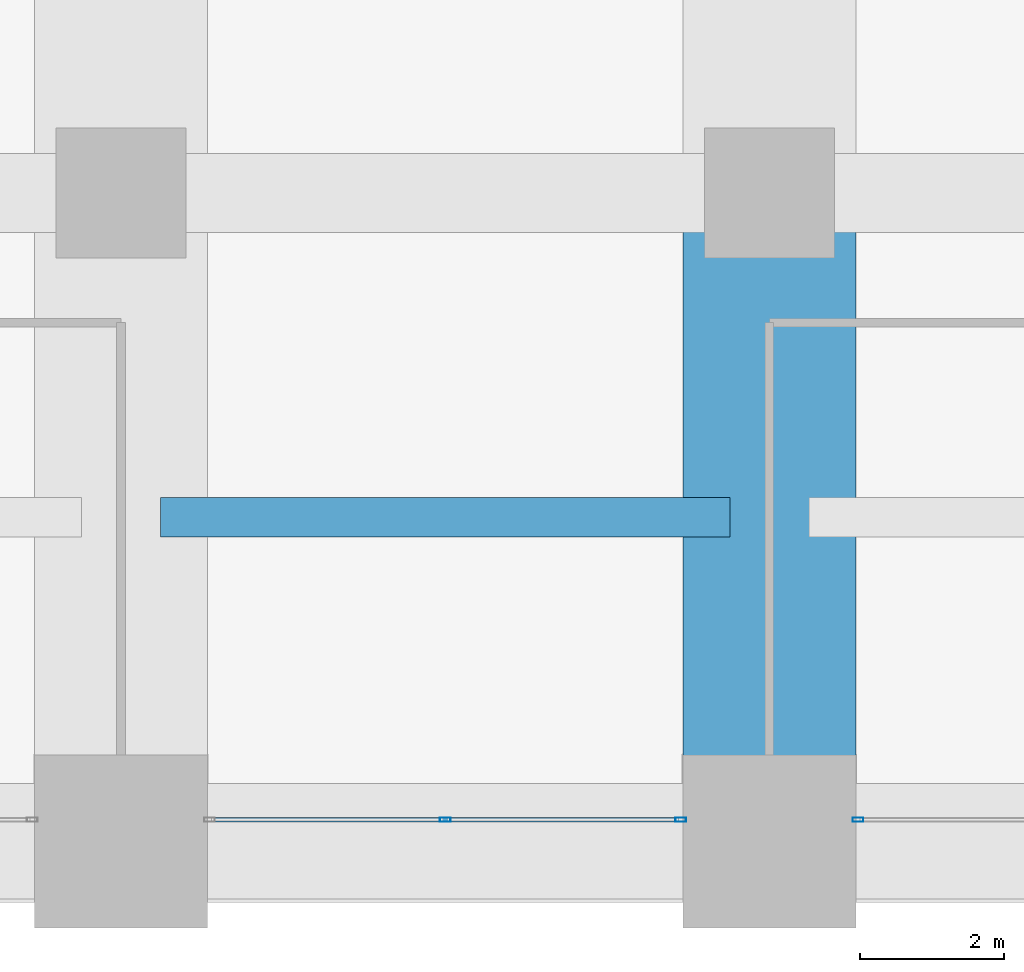
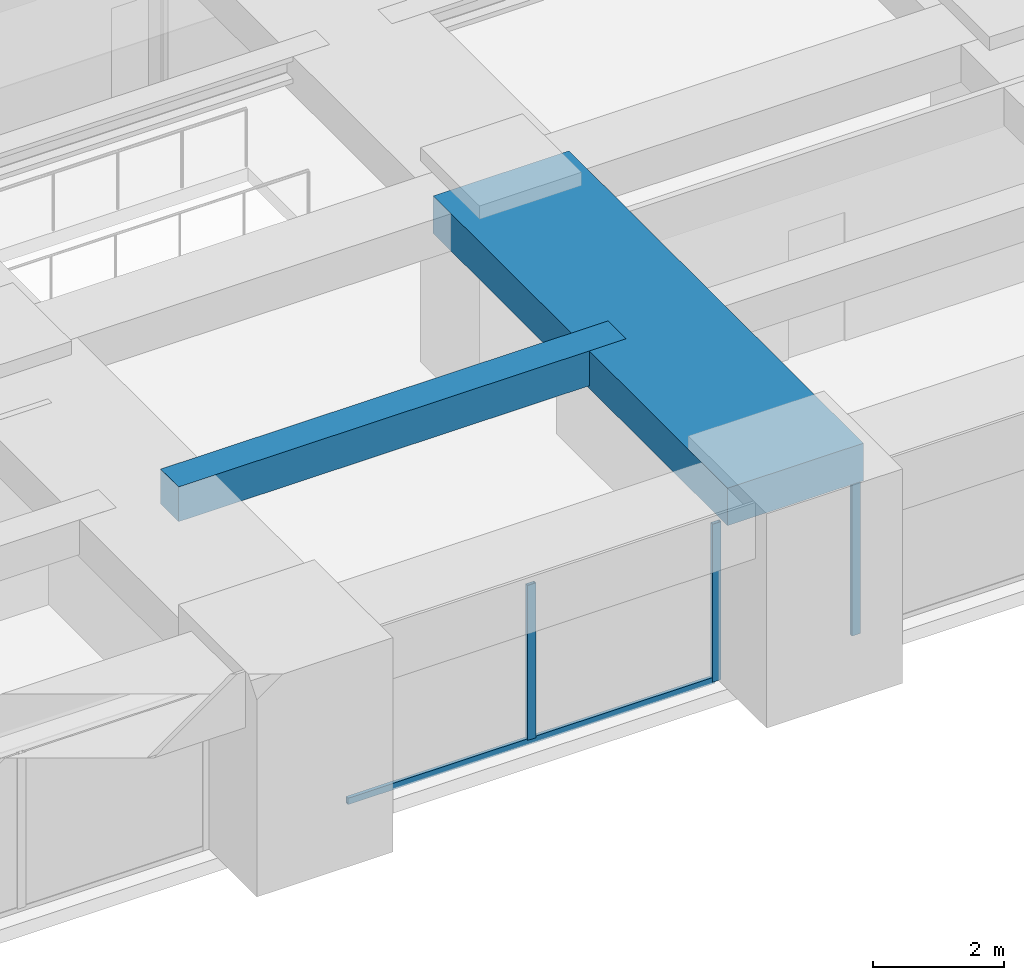
# One storey, part 13 of 43: 4 members, 2 beams, 2 elements without a shape of their own.
"""IFC4 building model written with IfcOpenShell, lengths in metres."""

from ifc_helpers import new_model, si_unit, direction, frame, origin, origin_2d, place, context, subcontext, project, spatial, rectangle, hollow_rectangle, extrude, material, material_profile, profile_set, type_object, element, aggregate, save


model = new_model("IFC4")

# Units and contexts
model_context = context("Model", 3, precision=1e-05, world=origin(), true_north=direction((0.0, 1.0)))
body_context = subcontext(model_context, "Body", "Model", "MODEL_VIEW")
ifc_project = project(units=[si_unit("LENGTHUNIT", "METRE"), si_unit("AREAUNIT", "SQUARE_METRE"), si_unit("VOLUMEUNIT", "CUBIC_METRE"), si_unit("PLANEANGLEUNIT", "RADIAN"), si_unit("MASSUNIT", "GRAM", prefix="KILO")], contexts=[model_context])

# Site, building, storey
site_placement = place(None, origin())
site = spatial("IfcSite", under=ifc_project, at=site_placement, CompositionType="ELEMENT")
building_placement = place(site_placement, origin())
building = spatial("IfcBuilding", under=site, at=building_placement, Name="Zorevar Civic Tower", CompositionType="ELEMENT")
storey_placement = place(building_placement, frame((0.0, 0.0, 141.0)))
storey = spatial("IfcBuildingStorey", under=building, at=storey_placement, Name="L34", CompositionType="ELEMENT", Elevation=141.0)

# Beams
ifc_material_1 = material(Name="Concrete C50/60", Category="concrete")
ifc_material_profile_1 = material_profile(ifc_material_1, rectangle(XDim=2.39990234375, YDim=0.699951171875, at=origin_2d()), Name="RC 2400x700")
ifc_profile_set_1 = profile_set([ifc_material_profile_1], Name="Concrete C50/60")
beam_type_1 = type_object("IfcBeamType", Name="Beam RC 2400x700", PredefinedType="BEAM", material=ifc_profile_set_1)
beam_1_placement = place(storey_placement, frame((36.0, 0.0, 3.39990234375), z_axis=(0.0, 1.0, 0.0), x_axis=(-1.0, 0.0, 0.0)))
element("IfcBeam", 1, at=beam_1_placement, inside=storey, type_object=beam_type_1, Name="Girder L35", PredefinedType="BEAM", context=body_context, shape_type="SweptSolid", body=[
    extrude(rectangle(XDim=2.39990234375, YDim=0.699951171875, at=origin_2d()), origin(), (0.0, 0.0, 1.0), 9.0),
])
ifc_material_2 = material(Name="Concrete C50/60", Category="concrete")
ifc_material_profile_2 = material_profile(ifc_material_2, rectangle(XDim=0.550048828125, YDim=0.64990234375, at=origin_2d()), Name="RC 550x650")
ifc_profile_set_2 = profile_set([ifc_material_profile_2], Name="Concrete C50/60")
beam_type_2 = type_object("IfcBeamType", Name="Beam RC 550x650", PredefinedType="BEAM", material=ifc_profile_set_2)
beam_2_placement = place(storey_placement, frame((27.550048828125, 4.5, 3.425048828125), z_axis=(1.0, 0.0, 0.0), x_axis=(0.0, 1.0, 0.0)))
element("IfcBeam", 2, at=beam_2_placement, inside=storey, type_object=beam_type_2, Name="Secondary beam L35", PredefinedType="BEAM", context=body_context, shape_type="SweptSolid", body=[
    extrude(rectangle(XDim=0.550048828125, YDim=0.64990234375, at=origin_2d()), origin(), (0.0, 0.0, 1.0), 7.89990234375),
])

# Curtain wall, members
ifc_material_3 = material(Name="Dark grey solar-control glass in black aluminium frame", Category="aluminium")
curtain_wall_type = type_object("IfcCurtainWallType", Name="Curtain wall CW3 mid zone", PredefinedType="NOTDEFINED", material=ifc_material_3)
curtain_wall_1_placement = place(storey_placement, origin())
curtain_wall_1 = element("IfcCurtainWall", 3, at=curtain_wall_1_placement, inside=storey, type_object=curtain_wall_type, Name="CW3 L34", PredefinedType="NOTDEFINED")
ifc_material_4 = material(Name="Aluminium, black anodised", Category="aluminium")
ifc_material_profile_3 = material_profile(ifc_material_4, hollow_rectangle(XDim=0.06005859375, YDim=0.14990234375, WallThickness=0.00390625, at=origin_2d()), Name="AL 150x60x4")
ifc_profile_set_3 = profile_set([ifc_material_profile_3], Name="Aluminium, black anodised")
member_type_1 = type_object("IfcMemberType", Name="CW3 mullion AL 150x60x4", PredefinedType="MULLION", material=ifc_profile_set_3)
member_1_placement = place(storey_placement, frame((31.5, 0.300048828125, 0.06005859375), z_axis=(0.0, 0.0, 1.0), x_axis=(0.0, 1.0, 0.0)))
member_1 = element("IfcMember", 4, at=member_1_placement, type_object=member_type_1, Name="CW3 mullion 2", PredefinedType="MULLION", context=body_context, shape_type="SweptSolid", body=[
    extrude(hollow_rectangle(XDim=0.06005859375, YDim=0.14990234375, WallThickness=0.00390625, at=origin_2d()), origin(), (0.0, 0.0, 1.0), 2.889892578125),
])
member_2_placement = place(storey_placement, frame((34.77001953125, 0.300048828125, 0.0), z_axis=(0.0, 0.0, 1.0), x_axis=(0.0, 1.0, 0.0)))
member_2 = element("IfcMember", 5, at=member_2_placement, type_object=member_type_1, Name="CW3 mullion 3", PredefinedType="MULLION", context=body_context, shape_type="SweptSolid", body=[
    extrude(hollow_rectangle(XDim=0.06005859375, YDim=0.14990234375, WallThickness=0.00390625, at=origin_2d()), origin(), (0.0, 0.0, 1.0), 2.949951171875),
])

# Curtain wall, member
curtain_wall_2_placement = place(storey_placement, origin())
curtain_wall_2 = element("IfcCurtainWall", 6, at=curtain_wall_2_placement, inside=storey, type_object=curtain_wall_type, Name="CW3 L34", PredefinedType="NOTDEFINED")
member_3_placement = place(storey_placement, frame((37.22998046875, 0.300048828125, 0.0), z_axis=(0.0, 0.0, 1.0), x_axis=(0.0, 1.0, 0.0)))
member_3 = element("IfcMember", 7, at=member_3_placement, type_object=member_type_1, Name="CW3 mullion 1", PredefinedType="MULLION", context=body_context, shape_type="SweptSolid", body=[
    extrude(hollow_rectangle(XDim=0.06005859375, YDim=0.14990234375, WallThickness=0.00390625, at=origin_2d()), origin(), (0.0, 0.0, 1.0), 2.949951171875),
])
aggregate(curtain_wall_2, [member_3])

# Member
ifc_material_5 = material(Name="Aluminium, black anodised", Category="aluminium")
ifc_material_profile_4 = material_profile(ifc_material_5, hollow_rectangle(XDim=0.06005859375, YDim=0.1201171875, WallThickness=0.0029296875, at=origin_2d()), Name="AL 120x60x3")
ifc_profile_set_4 = profile_set([ifc_material_profile_4], Name="Aluminium, black anodised")
member_type_2 = type_object("IfcMemberType", Name="CW3 transom AL 120x60x3", PredefinedType="USERDEFINED", material=ifc_profile_set_4)
member_4_placement = place(storey_placement, frame((28.260009765625, 0.300048828125, 0.030029296875), z_axis=(1.0, 0.0, 0.0), x_axis=(0.0, 1.0, 0.0)))
member_4 = element("IfcMember", 8, at=member_4_placement, type_object=member_type_2, Name="CW3 sill transom", ObjectType="TRANSOM", PredefinedType="USERDEFINED", context=body_context, shape_type="SweptSolid", body=[
    extrude(hollow_rectangle(XDim=0.06005859375, YDim=0.1201171875, WallThickness=0.0029296875, at=origin_2d()), origin(), (0.0, 0.0, 1.0), 6.47998046875),
])

aggregate(curtain_wall_1, [member_1, member_2, member_4])

save(model, "model.ifc")
